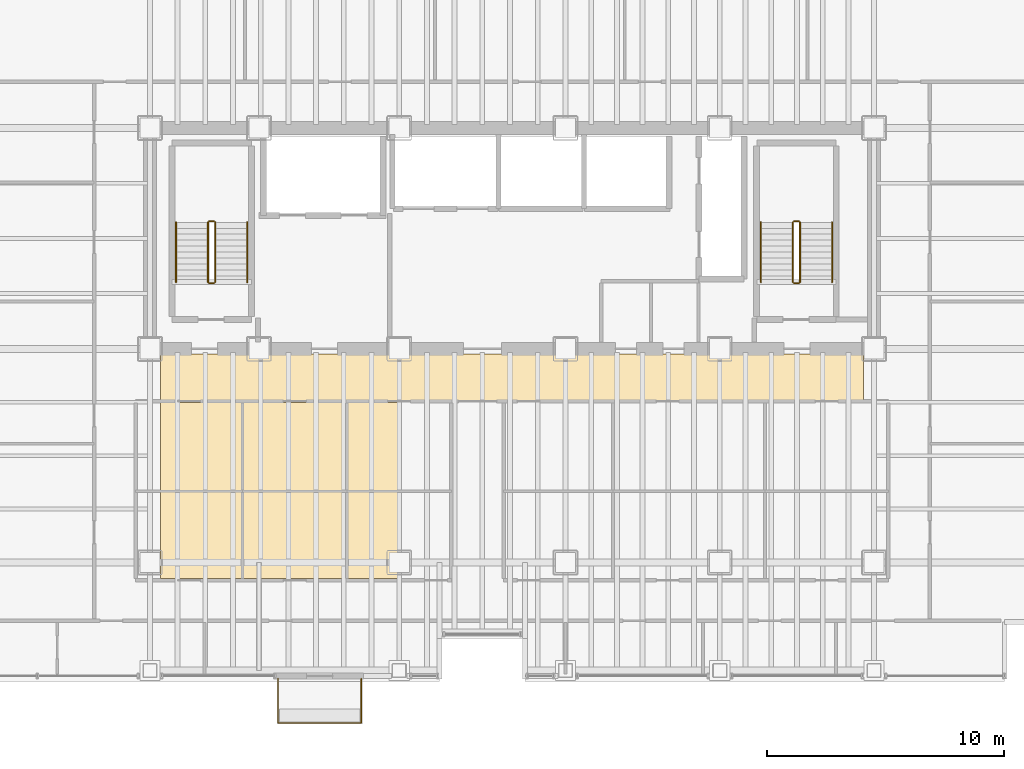
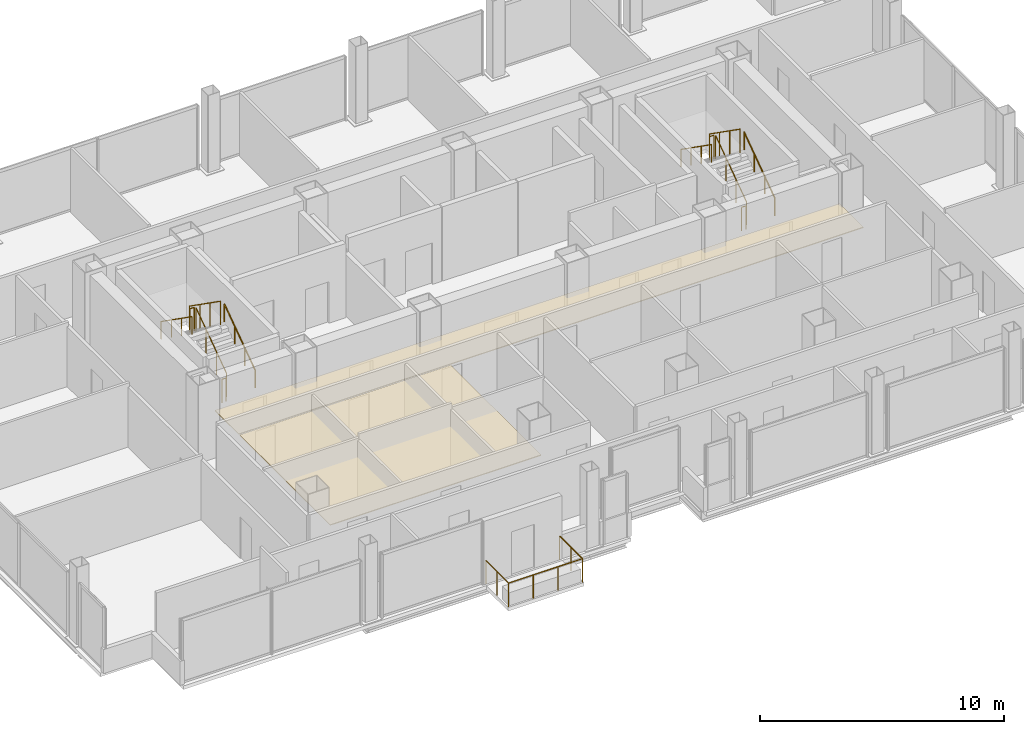
# One storey, part 21 of 21: 13 railings, 2 coverings.
"""IFC4 building model written with IfcOpenShell, lengths in metres."""

from ifc_helpers import new_model, si_unit, direction, frame, origin, origin_2d, place, context, subcontext, project, spatial, polyline, circle, outline, extrude, material, layer, layer_set, type_object, element, save


model = new_model("IFC4")

# Units and contexts
model_context = context("Model", 3, precision=1e-05, world=origin(), true_north=direction((0.0, 1.0)))
body_context = subcontext(model_context, "Body", "Model", "MODEL_VIEW")
ifc_project = project(units=[si_unit("LENGTHUNIT", "METRE"), si_unit("AREAUNIT", "SQUARE_METRE"), si_unit("VOLUMEUNIT", "CUBIC_METRE"), si_unit("PLANEANGLEUNIT", "RADIAN"), si_unit("MASSUNIT", "GRAM", prefix="KILO")], contexts=[model_context])

# Site, building, storey
site_placement = place(None, origin())
site = spatial("IfcSite", under=ifc_project, at=site_placement, CompositionType="ELEMENT")
building_placement = place(site_placement, origin())
building = spatial("IfcBuilding", under=site, at=building_placement, Name="Noeulbin Bourse Tower", CompositionType="ELEMENT")
storey_placement = place(building_placement, frame((0.0, 0.0, 30.39990234375)))
storey = spatial("IfcBuildingStorey", under=building, at=storey_placement, Name="L07", CompositionType="ELEMENT", Elevation=30.39990234375)

# Coverings
ifc_material_1 = material(Name="Perforated Mineral-Fibre Acoustic Tile")
ifc_layer_1 = layer(ifc_material_1, 0.0400390625)
ifc_layer_set_1 = layer_set([ifc_layer_1], Name="Perforated Mineral-Fibre Acoustic Tile")
covering_type = type_object("IfcCoveringType", Name="COV-CEIL-ACT", PredefinedType="CEILING", material=ifc_layer_set_1)
covering_1_placement = place(storey_placement, frame((0.0, 0.0, 2.110107421875)))
element("IfcCovering", 1, at=covering_1_placement, inside=storey, type_object=covering_type, Name="Corridor Suspended Ceiling L07", PredefinedType="CEILING", context=body_context, shape_type="SweptSolid", body=[
    extrude(outline(polyline([(13.949951171875, 26.820068359375), (43.550048828125, 26.820068359375), (43.550048828125, 28.780029296875), (13.949951171875, 28.780029296875), (13.949951171875, 26.820068359375)])), origin(), (0.0, 0.0, 1.0), 0.0400390625),
])
covering_2_placement = place(storey_placement, frame((0.0, 0.0, 2.110107421875)))
element("IfcCovering", 2, at=covering_2_placement, inside=storey, type_object=covering_type, Name="Trading Suite Acoustic Ceiling L07", PredefinedType="CEILING", context=body_context, shape_type="SweptSolid", body=[
    extrude(outline(polyline([(13.949951171875, 19.320068359375), (23.949951171875, 19.320068359375), (23.949951171875, 26.75), (13.949951171875, 26.75), (13.949951171875, 19.320068359375)])), origin(), (0.0, 0.0, 1.0), 0.0400390625),
])

# Railings
ifc_material_2 = material(Name="Laminated SentryGlas and Stainless Steel 316", Category="steel")
ifc_layer_2 = layer(ifc_material_2, 0.06005859375)
ifc_layer_set_2 = layer_set([ifc_layer_2], Name="Laminated SentryGlas and Stainless Steel 316")
railing_type_1 = type_object("IfcRailingType", Name="RLG-BAL-1200", PredefinedType="BALUSTRADE", material=ifc_layer_set_2)
railing_1_placement = place(storey_placement, frame((18.89990234375, 15.1201171875, 0.0)))
element("IfcRailing", 3, at=railing_1_placement, inside=storey, type_object=railing_type_1, Name="Tree-Balcony Glazed Balustrade L07", PredefinedType="BALUSTRADE", context=body_context, shape_type="SweptSolid", body=[
    extrude(circle(Radius=0.02392578125, at=origin_2d()), frame((0.0, 0.0, 1.17578125), z_axis=(0.0, -1.0, 0.0), x_axis=(1.0, 0.0, 0.0)), (0.0, 0.0, 1.0), 1.8701171875),
    extrude(circle(Radius=0.02392578125, at=origin_2d()), frame((0.0, -1.8701171875, 1.17578125), z_axis=(1.0, 0.0, 0.0), x_axis=(0.0, 1.0, 0.0)), (0.0, 0.0, 1.0), 3.5),
    extrude(circle(Radius=0.02392578125, at=origin_2d()), frame((3.5, -1.8701171875, 1.17578125), z_axis=(0.0, 1.0, 0.0), x_axis=(-1.0, 0.0, 0.0)), (0.0, 0.0, 1.0), 1.8701171875),
    extrude(circle(Radius=0.02099609375, at=origin_2d()), origin(), (0.0, 0.0, 1.0), 1.15185546875),
    extrude(circle(Radius=0.02099609375, at=origin_2d()), frame((0.0, -0.93505859375, 0.0)), (0.0, 0.0, 1.0), 1.15185546875),
    extrude(circle(Radius=0.02099609375, at=origin_2d()), frame((0.0, -1.8701171875, 0.0)), (0.0, 0.0, 1.0), 1.15185546875),
    extrude(circle(Radius=0.02099609375, at=origin_2d()), frame((1.166748046875, -1.8701171875, 0.0)), (0.0, 0.0, 1.0), 1.15185546875),
    extrude(circle(Radius=0.02099609375, at=origin_2d()), frame((2.333251953125, -1.8701171875, 0.0)), (0.0, 0.0, 1.0), 1.15185546875),
    extrude(circle(Radius=0.02099609375, at=origin_2d()), frame((3.5, -1.8701171875, 0.0)), (0.0, 0.0, 1.0), 1.15185546875),
    extrude(circle(Radius=0.02099609375, at=origin_2d()), frame((3.5, -0.93505859375, 0.0)), (0.0, 0.0, 1.0), 1.15185546875),
    extrude(circle(Radius=0.02099609375, at=origin_2d()), frame((3.5, 0.0, 0.0)), (0.0, 0.0, 1.0), 1.15185546875),
])
ifc_material_3 = material(Name="Painted Tubular Steel S355", Category="steel")
ifc_layer_3 = layer(ifc_material_3, 0.048095703125)
ifc_layer_set_3 = layer_set([ifc_layer_3], Name="Painted Tubular Steel S355")
railing_type_2 = type_object("IfcRailingType", Name="RLG-STR-GRD", PredefinedType="GUARDRAIL", material=ifc_layer_set_3)
railing_2_placement = place(storey_placement, frame((16.25, 31.81005859375, 0.177490234375)))
element("IfcRailing", 4, at=railing_2_placement, inside=storey, type_object=railing_type_2, Name="L07 ST-1 stair guard 1", PredefinedType="GUARDRAIL", context=body_context, shape_type="SweptSolid", body=[
    extrude(circle(Radius=0.02392578125, at=origin_2d()), frame((0.0, 0.0, 1.17578125), z_axis=(0.0, 0.817904474719, 0.575354039036), x_axis=(-1.0, 0.0, 0.0)), (0.0, 0.0, 1.0), 3.0810546875),
    extrude(circle(Radius=0.02099609375, at=origin_2d()), origin(), (0.0, 0.0, 1.0), 1.15185546875),
    extrude(circle(Radius=0.02099609375, at=origin_2d()), frame((0.0, 0.840087890625, 0.5908203125)), (0.0, 0.0, 1.0), 1.15185546875),
    extrude(circle(Radius=0.02099609375, at=origin_2d()), frame((0.0, 1.679931640625, 1.181884765625)), (0.0, 0.0, 1.0), 1.15185546875),
    extrude(circle(Radius=0.02099609375, at=origin_2d()), frame((0.0, 2.52001953125, 1.772705078125)), (0.0, 0.0, 1.0), 1.15185546875),
])
railing_3_placement = place(storey_placement, frame((16.199951171875, 34.3798828125, 1.9501953125)))
element("IfcRailing", 5, at=railing_3_placement, inside=storey, type_object=railing_type_2, Name="L07 ST-1 stair guard 2", PredefinedType="GUARDRAIL", context=body_context, shape_type="SweptSolid", body=[
    extrude(circle(Radius=0.02392578125, at=origin_2d()), frame((0.0, 0.0, 1.17578125), z_axis=(-1.0, 0.0, 0.0), x_axis=(0.0, -1.0, 0.0)), (0.0, 0.0, 1.0), 0.199951171875),
    extrude(circle(Radius=0.02099609375, at=origin_2d()), origin(), (0.0, 0.0, 1.0), 1.15185546875),
    extrude(circle(Radius=0.02099609375, at=origin_2d()), frame((-0.199951171875, 0.0, 0.0)), (0.0, 0.0, 1.0), 1.15185546875),
])
railing_4_placement = place(storey_placement, frame((15.949951171875, 34.330078125, 2.12744140625)))
element("IfcRailing", 6, at=railing_4_placement, inside=storey, type_object=railing_type_2, Name="L07 ST-1 stair guard 3", PredefinedType="GUARDRAIL", context=body_context, shape_type="SweptSolid", body=[
    extrude(circle(Radius=0.02392578125, at=origin_2d()), frame((0.0, 0.0, 1.17578125), z_axis=(0.0, -0.817904474719, 0.575354039036), x_axis=(1.0, 0.0, 0.0)), (0.0, 0.0, 1.0), 3.0810546875),
    extrude(circle(Radius=0.02099609375, at=origin_2d()), origin(), (0.0, 0.0, 1.0), 1.15185546875),
    extrude(circle(Radius=0.02099609375, at=origin_2d()), frame((0.0, -0.840087890625, 0.5908203125)), (0.0, 0.0, 1.0), 1.15185546875),
    extrude(circle(Radius=0.02099609375, at=origin_2d()), frame((0.0, -1.679931640625, 1.181884765625)), (0.0, 0.0, 1.0), 1.15185546875),
    extrude(circle(Radius=0.02099609375, at=origin_2d()), frame((0.0, -2.52001953125, 1.772705078125)), (0.0, 0.0, 1.0), 1.15185546875),
])
railing_5_placement = place(storey_placement, frame((16.199951171875, 31.760009765625, 0.0)))
element("IfcRailing", 7, at=railing_5_placement, inside=storey, type_object=railing_type_2, Name="L07 ST-1 stair guard 4", PredefinedType="GUARDRAIL", context=body_context, shape_type="SweptSolid", body=[
    extrude(circle(Radius=0.02392578125, at=origin_2d()), frame((0.0, 0.0, 1.17578125), z_axis=(-1.0, 0.0, 0.0), x_axis=(0.0, -1.0, 0.0)), (0.0, 0.0, 1.0), 0.199951171875),
    extrude(circle(Radius=0.02099609375, at=origin_2d()), origin(), (0.0, 0.0, 1.0), 1.15185546875),
    extrude(circle(Radius=0.02099609375, at=origin_2d()), frame((-0.199951171875, 0.0, 0.0)), (0.0, 0.0, 1.0), 1.15185546875),
])
railing_6_placement = place(storey_placement, frame((40.8798828125, 31.81005859375, 0.177490234375)))
element("IfcRailing", 8, at=railing_6_placement, inside=storey, type_object=railing_type_2, Name="L07 ST-2 stair guard 1", PredefinedType="GUARDRAIL", context=body_context, shape_type="SweptSolid", body=[
    extrude(circle(Radius=0.02392578125, at=origin_2d()), frame((0.0, 0.0, 1.17578125), z_axis=(0.0, 0.817904474719, 0.575354039036), x_axis=(-1.0, 0.0, 0.0)), (0.0, 0.0, 1.0), 3.0810546875),
    extrude(circle(Radius=0.02099609375, at=origin_2d()), origin(), (0.0, 0.0, 1.0), 1.15185546875),
    extrude(circle(Radius=0.02099609375, at=origin_2d()), frame((0.0, 0.840087890625, 0.5908203125)), (0.0, 0.0, 1.0), 1.15185546875),
    extrude(circle(Radius=0.02099609375, at=origin_2d()), frame((0.0, 1.679931640625, 1.181884765625)), (0.0, 0.0, 1.0), 1.15185546875),
    extrude(circle(Radius=0.02099609375, at=origin_2d()), frame((0.0, 2.52001953125, 1.772705078125)), (0.0, 0.0, 1.0), 1.15185546875),
])
railing_7_placement = place(storey_placement, frame((40.830078125, 34.3798828125, 1.9501953125)))
element("IfcRailing", 9, at=railing_7_placement, inside=storey, type_object=railing_type_2, Name="L07 ST-2 stair guard 2", PredefinedType="GUARDRAIL", context=body_context, shape_type="SweptSolid", body=[
    extrude(circle(Radius=0.02392578125, at=origin_2d()), frame((0.0, 0.0, 1.17578125), z_axis=(-1.0, 0.0, 0.0), x_axis=(0.0, -1.0, 0.0)), (0.0, 0.0, 1.0), 0.2001953125),
    extrude(circle(Radius=0.02099609375, at=origin_2d()), origin(), (0.0, 0.0, 1.0), 1.15185546875),
    extrude(circle(Radius=0.02099609375, at=origin_2d()), frame((-0.2001953125, 0.0, 0.0)), (0.0, 0.0, 1.0), 1.15185546875),
])
railing_8_placement = place(storey_placement, frame((40.580078125, 34.330078125, 2.12744140625)))
element("IfcRailing", 10, at=railing_8_placement, inside=storey, type_object=railing_type_2, Name="L07 ST-2 stair guard 3", PredefinedType="GUARDRAIL", context=body_context, shape_type="SweptSolid", body=[
    extrude(circle(Radius=0.02392578125, at=origin_2d()), frame((0.0, 0.0, 1.17578125), z_axis=(0.0, -0.817904474719, 0.575354039036), x_axis=(1.0, 0.0, 0.0)), (0.0, 0.0, 1.0), 3.0810546875),
    extrude(circle(Radius=0.02099609375, at=origin_2d()), origin(), (0.0, 0.0, 1.0), 1.15185546875),
    extrude(circle(Radius=0.02099609375, at=origin_2d()), frame((0.0, -0.840087890625, 0.5908203125)), (0.0, 0.0, 1.0), 1.15185546875),
    extrude(circle(Radius=0.02099609375, at=origin_2d()), frame((0.0, -1.679931640625, 1.181884765625)), (0.0, 0.0, 1.0), 1.15185546875),
    extrude(circle(Radius=0.02099609375, at=origin_2d()), frame((0.0, -2.52001953125, 1.772705078125)), (0.0, 0.0, 1.0), 1.15185546875),
])
railing_9_placement = place(storey_placement, frame((40.830078125, 31.760009765625, 0.0)))
element("IfcRailing", 11, at=railing_9_placement, inside=storey, type_object=railing_type_2, Name="L07 ST-2 stair guard 4", PredefinedType="GUARDRAIL", context=body_context, shape_type="SweptSolid", body=[
    extrude(circle(Radius=0.02392578125, at=origin_2d()), frame((0.0, 0.0, 1.17578125), z_axis=(-1.0, 0.0, 0.0), x_axis=(0.0, -1.0, 0.0)), (0.0, 0.0, 1.0), 0.2001953125),
    extrude(circle(Radius=0.02099609375, at=origin_2d()), origin(), (0.0, 0.0, 1.0), 1.15185546875),
    extrude(circle(Radius=0.02099609375, at=origin_2d()), frame((-0.2001953125, 0.0, 0.0)), (0.0, 0.0, 1.0), 1.15185546875),
])
ifc_material_4 = material(Name="Brushed Stainless Steel 316", Category="steel")
ifc_layer_4 = layer(ifc_material_4, 0.048095703125)
ifc_layer_set_4 = layer_set([ifc_layer_4], Name="Brushed Stainless Steel 316")
railing_type_3 = type_object("IfcRailingType", Name="RLG-STR-HND", PredefinedType="HANDRAIL", material=ifc_layer_set_4)
railing_10_placement = place(storey_placement, frame((17.60009765625, 31.81005859375, 0.177490234375)))
element("IfcRailing", 12, at=railing_10_placement, inside=storey, type_object=railing_type_3, Name="L07 ST-1 stair handrail 1", PredefinedType="HANDRAIL", context=body_context, shape_type="SweptSolid", body=[
    extrude(circle(Radius=0.02392578125, at=origin_2d()), frame((0.0, 0.0, 0.8759765625), z_axis=(0.0, 0.817904474719, 0.575354039036), x_axis=(-1.0, 0.0, 0.0)), (0.0, 0.0, 1.0), 3.0810546875),
    extrude(circle(Radius=0.02099609375, at=origin_2d()), origin(), (0.0, 0.0, 1.0), 0.851806640625),
    extrude(circle(Radius=0.02099609375, at=origin_2d()), frame((0.0, 0.840087890625, 0.5908203125)), (0.0, 0.0, 1.0), 0.851806640625),
    extrude(circle(Radius=0.02099609375, at=origin_2d()), frame((0.0, 1.679931640625, 1.181884765625)), (0.0, 0.0, 1.0), 0.851806640625),
    extrude(circle(Radius=0.02099609375, at=origin_2d()), frame((0.0, 2.52001953125, 1.772705078125)), (0.0, 0.0, 1.0), 0.851806640625),
])
railing_11_placement = place(storey_placement, frame((14.60009765625, 34.330078125, 2.12744140625)))
element("IfcRailing", 13, at=railing_11_placement, inside=storey, type_object=railing_type_3, Name="L07 ST-1 stair handrail 2", PredefinedType="HANDRAIL", context=body_context, shape_type="SweptSolid", body=[
    extrude(circle(Radius=0.02392578125, at=origin_2d()), frame((0.0, 0.0, 0.8759765625), z_axis=(0.0, -0.817904474719, 0.575354039036), x_axis=(1.0, 0.0, 0.0)), (0.0, 0.0, 1.0), 3.0810546875),
    extrude(circle(Radius=0.02099609375, at=origin_2d()), origin(), (0.0, 0.0, 1.0), 0.851806640625),
    extrude(circle(Radius=0.02099609375, at=origin_2d()), frame((0.0, -0.840087890625, 0.5908203125)), (0.0, 0.0, 1.0), 0.851806640625),
    extrude(circle(Radius=0.02099609375, at=origin_2d()), frame((0.0, -1.679931640625, 1.181884765625)), (0.0, 0.0, 1.0), 0.851806640625),
    extrude(circle(Radius=0.02099609375, at=origin_2d()), frame((0.0, -2.52001953125, 1.772705078125)), (0.0, 0.0, 1.0), 0.851806640625),
])
railing_12_placement = place(storey_placement, frame((42.22998046875, 31.81005859375, 0.177490234375)))
element("IfcRailing", 14, at=railing_12_placement, inside=storey, type_object=railing_type_3, Name="L07 ST-2 stair handrail 1", PredefinedType="HANDRAIL", context=body_context, shape_type="SweptSolid", body=[
    extrude(circle(Radius=0.02392578125, at=origin_2d()), frame((0.0, 0.0, 0.8759765625), z_axis=(0.0, 0.817904474719, 0.575354039036), x_axis=(-1.0, 0.0, 0.0)), (0.0, 0.0, 1.0), 3.0810546875),
    extrude(circle(Radius=0.02099609375, at=origin_2d()), origin(), (0.0, 0.0, 1.0), 0.851806640625),
    extrude(circle(Radius=0.02099609375, at=origin_2d()), frame((0.0, 0.840087890625, 0.5908203125)), (0.0, 0.0, 1.0), 0.851806640625),
    extrude(circle(Radius=0.02099609375, at=origin_2d()), frame((0.0, 1.679931640625, 1.181884765625)), (0.0, 0.0, 1.0), 0.851806640625),
    extrude(circle(Radius=0.02099609375, at=origin_2d()), frame((0.0, 2.52001953125, 1.772705078125)), (0.0, 0.0, 1.0), 0.851806640625),
])
railing_13_placement = place(storey_placement, frame((39.22998046875, 34.330078125, 2.12744140625)))
element("IfcRailing", 15, at=railing_13_placement, inside=storey, type_object=railing_type_3, Name="L07 ST-2 stair handrail 2", PredefinedType="HANDRAIL", context=body_context, shape_type="SweptSolid", body=[
    extrude(circle(Radius=0.02392578125, at=origin_2d()), frame((0.0, 0.0, 0.8759765625), z_axis=(0.0, -0.817904474719, 0.575354039036), x_axis=(1.0, 0.0, 0.0)), (0.0, 0.0, 1.0), 3.0810546875),
    extrude(circle(Radius=0.02099609375, at=origin_2d()), origin(), (0.0, 0.0, 1.0), 0.851806640625),
    extrude(circle(Radius=0.02099609375, at=origin_2d()), frame((0.0, -0.840087890625, 0.5908203125)), (0.0, 0.0, 1.0), 0.851806640625),
    extrude(circle(Radius=0.02099609375, at=origin_2d()), frame((0.0, -1.679931640625, 1.181884765625)), (0.0, 0.0, 1.0), 0.851806640625),
    extrude(circle(Radius=0.02099609375, at=origin_2d()), frame((0.0, -2.52001953125, 1.772705078125)), (0.0, 0.0, 1.0), 0.851806640625),
])

save(model, "model.ifc")
